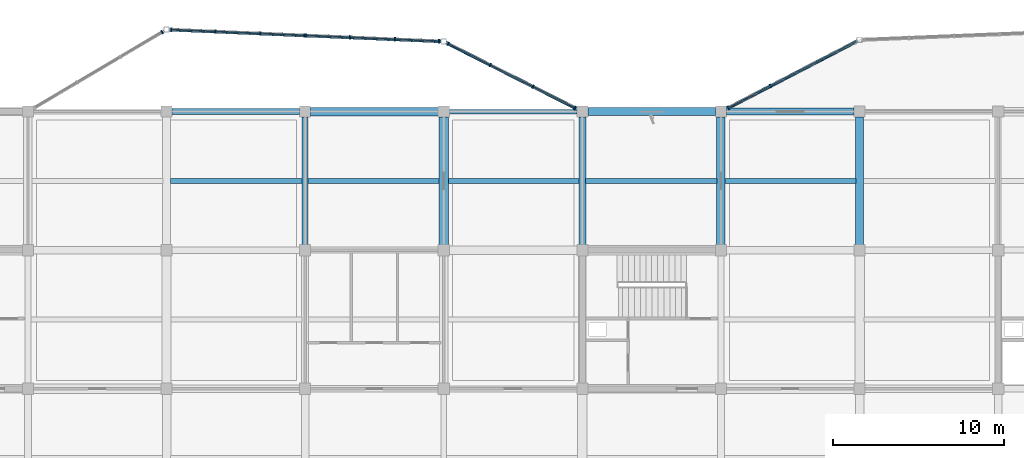
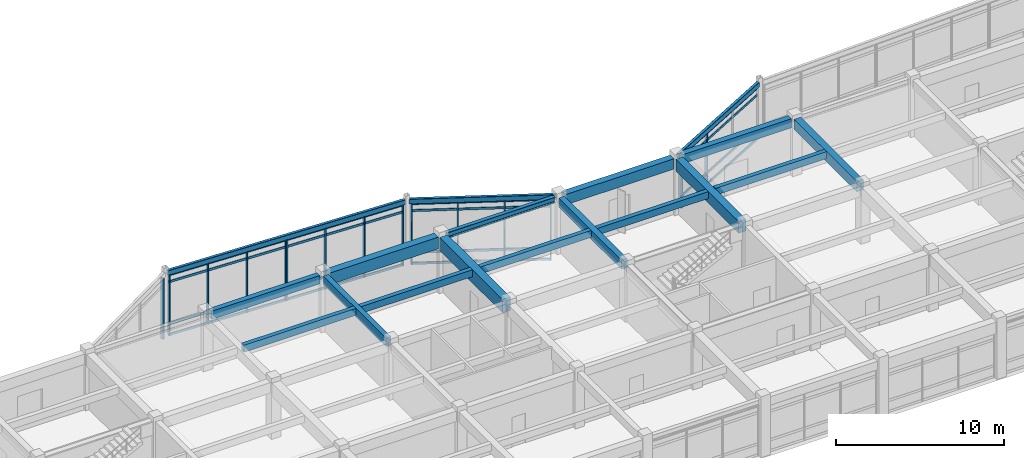
# One storey, part 45 of 89: 31 members, 18 beams, 5 elements without a shape of their own.
"""IFC4 building model written with IfcOpenShell, lengths in metres."""

from ifc_helpers import new_model, si_unit, direction, frame, origin, origin_2d, place, context, subcontext, project, spatial, rectangle, hollow_rectangle, i_section, extrude, material, layer, layer_set, material_profile, profile_set, type_object, element, aggregate, save


model = new_model("IFC4")

# Units and contexts
model_context = context("Model", 3, precision=1e-05, world=origin(), true_north=direction((0.0, 1.0)))
body_context = subcontext(model_context, "Body", "Model", "MODEL_VIEW")
ifc_project = project(units=[si_unit("LENGTHUNIT", "METRE"), si_unit("AREAUNIT", "SQUARE_METRE"), si_unit("VOLUMEUNIT", "CUBIC_METRE"), si_unit("PLANEANGLEUNIT", "RADIAN"), si_unit("MASSUNIT", "GRAM", prefix="KILO")], contexts=[model_context])

# Site, building, storey
site_placement = place(None, origin())
site = spatial("IfcSite", under=ifc_project, at=site_placement, CompositionType="ELEMENT")
building_placement = place(site_placement, origin())
building = spatial("IfcBuilding", under=site, at=building_placement, Name="Vaudrelin Polytechnic", CompositionType="ELEMENT")
storey_placement = place(building_placement, frame((0.0, 0.0, 9.68994140625)))
storey = spatial("IfcBuildingStorey", under=building, at=storey_placement, Name="L02", CompositionType="ELEMENT", Elevation=9.68994140625)

# Beams
ifc_material_1 = material(Name="Concrete 40 MPa", Category="concrete")
ifc_material_profile_1 = material_profile(ifc_material_1, rectangle(XDim=0.35009765625, YDim=0.60009765625, at=origin_2d()), Name="RC350x600")
ifc_profile_set_1 = profile_set([ifc_material_profile_1], Name="Concrete 40 MPa")
beam_type_1 = type_object("IfcBeamType", Name="BM-BM-RC3560", PredefinedType="BEAM", material=ifc_profile_set_1)
beam_1_placement = place(storey_placement, frame((40.5, 113.7099609375, 3.780029296875), z_axis=(0.0, 1.0, 0.0), x_axis=(-1.0, 0.0, 0.0)))
element("IfcBeam", 1, at=beam_1_placement, inside=storey, type_object=beam_type_1, Name="L02 Y-beam 6-15", PredefinedType="BEAM", context=body_context, shape_type="SweptSolid", body=[
    extrude(rectangle(XDim=0.35009765625, YDim=0.60009765625, at=origin_2d()), origin(), (0.0, 0.0, 1.0), 7.47998046875),
])
beam_2_placement = place(storey_placement, frame((32.720947265625, 121.5, 3.780029296875), z_axis=(1.0, 0.0, 0.0), x_axis=(0.0, 1.0, 0.0)))
element("IfcBeam", 2, at=beam_2_placement, inside=storey, type_object=beam_type_1, Name="L02 X-beam 5-16", PredefinedType="BEAM", context=body_context, shape_type="SweptSolid", body=[
    extrude(rectangle(XDim=0.35009765625, YDim=0.60009765625, at=origin_2d()), origin(), (0.0, 0.0, 1.0), 7.4580078125),
])
ifc_material_profile_2 = material_profile(ifc_material_1, rectangle(XDim=0.39990234375, YDim=0.64990234375, at=origin_2d()), Name="RC400x650")
ifc_profile_set_2 = profile_set([ifc_material_profile_2], Name="Concrete 40 MPa")
beam_type_2 = type_object("IfcBeamType", Name="BM-BM-RC4065", PredefinedType="BEAM", material=ifc_profile_set_2)
beam_3_placement = place(storey_placement, frame((56.699951171875, 113.7099609375, 3.755126953125), z_axis=(0.0, 1.0, 0.0), x_axis=(-1.0, 0.0, 0.0)))
element("IfcBeam", 3, at=beam_3_placement, inside=storey, type_object=beam_type_2, Name="L02 Y-beam 8-15", PredefinedType="BEAM", context=body_context, shape_type="SweptSolid", body=[
    extrude(rectangle(XDim=0.39990234375, YDim=0.64990234375, at=origin_2d()), origin(), (0.0, 0.0, 1.0), 7.47998046875),
])
beam_4_placement = place(storey_placement, frame((65.12109375, 121.5, 3.81494140625), z_axis=(1.0, 0.0, 0.0), x_axis=(0.0, 1.0, 0.0)))
element("IfcBeam", 4, at=beam_4_placement, inside=storey, type_object=beam_type_2, Name="L02 X-beam 9-16", PredefinedType="BEAM", context=body_context, shape_type="SweptSolid", body=[
    extrude(rectangle(XDim=0.39990234375, YDim=0.64990234375, at=origin_2d()), origin(), (0.0, 0.0, 1.0), 7.4580078125),
])
ifc_material_profile_3 = material_profile(ifc_material_1, rectangle(XDim=0.449951171875, YDim=0.75, at=origin_2d()), Name="RC450x750")
ifc_profile_set_3 = profile_set([ifc_material_profile_3], Name="Concrete 40 MPa")
beam_type_3 = type_object("IfcBeamType", Name="BM-BM-RC4575", PredefinedType="BEAM", material=ifc_profile_set_3)
beam_5_placement = place(storey_placement, frame((72.89990234375, 113.7099609375, 3.76513671875), z_axis=(0.0, 1.0, 0.0), x_axis=(-1.0, 0.0, 0.0)))
element("IfcBeam", 5, at=beam_5_placement, inside=storey, type_object=beam_type_3, Name="L02 Y-beam 10-15", PredefinedType="BEAM", context=body_context, shape_type="SweptSolid", body=[
    extrude(rectangle(XDim=0.449951171875, YDim=0.75, at=origin_2d()), origin(), (0.0, 0.0, 1.0), 7.47998046875),
])
beam_6_placement = place(storey_placement, frame((57.02099609375, 121.5, 3.705078125), z_axis=(1.0, 0.0, 0.0), x_axis=(0.0, 1.0, 0.0)))
element("IfcBeam", 6, at=beam_6_placement, inside=storey, type_object=beam_type_3, Name="L02 X-beam 8-16", PredefinedType="BEAM", context=body_context, shape_type="SweptSolid", body=[
    extrude(rectangle(XDim=0.449951171875, YDim=0.75, at=origin_2d()), origin(), (0.0, 0.0, 1.0), 7.4580078125),
])
ifc_material_profile_4 = material_profile(ifc_material_1, rectangle(XDim=0.5, YDim=0.85009765625, at=origin_2d()), Name="RC500x850")
ifc_profile_set_4 = profile_set([ifc_material_profile_4], Name="Concrete 40 MPa")
beam_type_4 = type_object("IfcBeamType", Name="BM-BM-RC5085", PredefinedType="BEAM", material=ifc_profile_set_4)
beam_7_placement = place(storey_placement, frame((64.800048828125, 113.7099609375, 3.655029296875), z_axis=(0.0, 1.0, 0.0), x_axis=(-1.0, 0.0, 0.0)))
element("IfcBeam", 7, at=beam_7_placement, inside=storey, type_object=beam_type_4, Name="L02 Y-beam 9-15", PredefinedType="BEAM", context=body_context, shape_type="SweptSolid", body=[
    extrude(rectangle(XDim=0.5, YDim=0.85009765625, at=origin_2d()), origin(), (0.0, 0.0, 1.0), 7.47998046875),
])
beam_8_placement = place(storey_placement, frame((40.821044921875, 121.5, 3.655029296875), z_axis=(1.0, 0.0, 0.0), x_axis=(0.0, 1.0, 0.0)))
element("IfcBeam", 8, at=beam_8_placement, inside=storey, type_object=beam_type_4, Name="L02 X-beam 6-16", PredefinedType="BEAM", context=body_context, shape_type="SweptSolid", body=[
    extrude(rectangle(XDim=0.5, YDim=0.85009765625, at=origin_2d()), origin(), (0.0, 0.0, 1.0), 7.4580078125),
])
ifc_material_2 = material(Name="Concrete 50 MPa", Category="concrete")
ifc_material_profile_5 = material_profile(ifc_material_2, rectangle(XDim=0.550048828125, YDim=0.949951171875, at=origin_2d()), Name="RC550x950")
ifc_profile_set_5 = profile_set([ifc_material_profile_5], Name="Concrete 50 MPa")
beam_type_5 = type_object("IfcBeamType", Name="BM-BM-RC5595", PredefinedType="BEAM", material=ifc_profile_set_5)
beam_9_placement = place(storey_placement, frame((48.60009765625, 113.7099609375, 3.60498046875), z_axis=(0.0, 1.0, 0.0), x_axis=(-1.0, 0.0, 0.0)))
element("IfcBeam", 9, at=beam_9_placement, inside=storey, type_object=beam_type_5, Name="L02 Y-beam 7-15", PredefinedType="BEAM", context=body_context, shape_type="SweptSolid", body=[
    extrude(rectangle(XDim=0.550048828125, YDim=0.949951171875, at=origin_2d()), origin(), (0.0, 0.0, 1.0), 7.47998046875),
])
ifc_material_3 = material(Name="Steel CSA G40.21 350WT", Category="steel")
ifc_material_profile_6 = material_profile(ifc_material_3, i_section(OverallWidth=0.260009765625, OverallDepth=0.4150390625, WebThickness=0.010009765625, FlangeThickness=0.016845703125, FilletRadius=0.01611328125, at=origin_2d()), Name="W410x100")
ifc_profile_set_6 = profile_set([ifc_material_profile_6], Name="Steel CSA G40.21 350WT")
beam_type_6 = type_object("IfcBeamType", Name="BM-BM-W410H", PredefinedType="SPANDREL", material=ifc_profile_set_6)
beam_10_placement = place(storey_placement, frame((48.9208984375, 121.5, 3.87255859375), z_axis=(1.0, 0.0, 0.0), x_axis=(0.0, 1.0, 0.0)))
element("IfcBeam", 10, at=beam_10_placement, inside=storey, type_object=beam_type_6, Name="L02 X-beam 7-16", PredefinedType="SPANDREL", context=body_context, shape_type="SweptSolid", body=[
    extrude(i_section(OverallWidth=0.260009765625, OverallDepth=0.4150390625, WebThickness=0.010009765625, FlangeThickness=0.016845703125, FilletRadius=0.01611328125, at=origin_2d()), origin(), (0.0, 0.0, 1.0), 7.4580078125),
])
ifc_material_profile_7 = material_profile(ifc_material_1, rectangle(XDim=0.300048828125, YDim=0.5, at=origin_2d()), Name="RC300x500")
ifc_profile_set_7 = profile_set([ifc_material_profile_7], Name="Concrete 40 MPa")
beam_type_7 = type_object("IfcBeamType", Name="BM-JS-RC3050", PredefinedType="JOIST", material=ifc_profile_set_7)
beam_11_placement = place(storey_placement, frame((32.62109375, 117.449951171875, 3.830078125), z_axis=(1.0, 0.0, 0.0), x_axis=(0.0, 1.0, 0.0)))
element("IfcBeam", 11, at=beam_11_placement, inside=storey, type_object=beam_type_7, Name="L02 floor joist 5-15", PredefinedType="JOIST", context=body_context, shape_type="SweptSolid", body=[
    extrude(rectangle(XDim=0.300048828125, YDim=0.5, at=origin_2d()), origin(), (0.0, 0.0, 1.0), 7.7080078125),
])
beam_12_placement = place(storey_placement, frame((40.6708984375, 117.449951171875, 3.830078125), z_axis=(1.0, 0.0, 0.0), x_axis=(0.0, 1.0, 0.0)))
element("IfcBeam", 12, at=beam_12_placement, inside=storey, type_object=beam_type_7, Name="L02 floor joist 6-15", PredefinedType="JOIST", context=body_context, shape_type="SweptSolid", body=[
    extrude(rectangle(XDim=0.300048828125, YDim=0.5, at=origin_2d()), origin(), (0.0, 0.0, 1.0), 7.658203125),
])
beam_13_placement = place(storey_placement, frame((48.87109375, 117.449951171875, 3.830078125), z_axis=(1.0, 0.0, 0.0), x_axis=(0.0, 1.0, 0.0)))
element("IfcBeam", 13, at=beam_13_placement, inside=storey, type_object=beam_type_7, Name="L02 floor joist 7-15", PredefinedType="JOIST", context=body_context, shape_type="SweptSolid", body=[
    extrude(rectangle(XDim=0.300048828125, YDim=0.5, at=origin_2d()), origin(), (0.0, 0.0, 1.0), 7.6328125),
])
beam_14_placement = place(storey_placement, frame((56.89599609375, 117.449951171875, 3.830078125), z_axis=(1.0, 0.0, 0.0), x_axis=(0.0, 1.0, 0.0)))
element("IfcBeam", 14, at=beam_14_placement, inside=storey, type_object=beam_type_7, Name="L02 floor joist 8-15", PredefinedType="JOIST", context=body_context, shape_type="SweptSolid", body=[
    extrude(rectangle(XDim=0.300048828125, YDim=0.5, at=origin_2d()), origin(), (0.0, 0.0, 1.0), 7.657958984375),
])
beam_15_placement = place(storey_placement, frame((65.0458984375, 117.449951171875, 3.89013671875), z_axis=(1.0, 0.0, 0.0), x_axis=(0.0, 1.0, 0.0)))
element("IfcBeam", 15, at=beam_15_placement, inside=storey, type_object=beam_type_7, Name="L02 floor joist 9-15", PredefinedType="JOIST", context=body_context, shape_type="SweptSolid", body=[
    extrude(rectangle(XDim=0.300048828125, YDim=0.5, at=origin_2d()), origin(), (0.0, 0.0, 1.0), 7.633056640625),
])
ifc_material_profile_8 = material_profile(ifc_material_3, hollow_rectangle(XDim=0.202880859375, YDim=0.35595703125, WallThickness=0.0126953125, InnerFilletRadius=0.0126953125, OuterFilletRadius=0.025390625, at=origin_2d()), Name="HSS356x203x12.7")
ifc_profile_set_8 = profile_set([ifc_material_profile_8], Name="Steel CSA G40.21 350WT")
beam_type_8 = type_object("IfcBeamType", Name="BM-SP-HSS35", PredefinedType="SPANDREL", material=ifc_profile_set_8)
beam_16_placement = place(storey_placement, frame((32.539794921875, 126.2939453125, 3.962158203125), z_axis=(0.999067570881, -0.043173936739, 0.0), x_axis=(0.043173936739, 0.999067570881, 0.0)))
element("IfcBeam", 16, at=beam_16_placement, inside=storey, type_object=beam_type_8, Name="Sculptural edge beam L02 N_OR1_B2", PredefinedType="SPANDREL", context=body_context, shape_type="SweptSolid", body=[
    extrude(hollow_rectangle(XDim=0.202880859375, YDim=0.35595703125, WallThickness=0.0126953125, InnerFilletRadius=0.0126953125, OuterFilletRadius=0.025390625, at=origin_2d()), origin(), (0.0, 0.0, 1.0), 15.935302734375),
])
beam_17_placement = place(storey_placement, frame((48.724853515625, 125.536865234375, 3.962158203125), z_axis=(0.892213204931, -0.451614433944, 0.0), x_axis=(0.451614433944, 0.892213204931, 0.0)))
element("IfcBeam", 17, at=beam_17_placement, inside=storey, type_object=beam_type_8, Name="Sculptural edge beam L02 N_OR1_B3", PredefinedType="SPANDREL", context=body_context, shape_type="SweptSolid", body=[
    extrude(hollow_rectangle(XDim=0.202880859375, YDim=0.35595703125, WallThickness=0.0126953125, InnerFilletRadius=0.0126953125, OuterFilletRadius=0.025390625, at=origin_2d()), origin(), (0.0, 0.0, 1.0), 8.798828125),
])
beam_18_placement = place(storey_placement, frame((64.92431640625, 121.564453125, 3.962158203125), z_axis=(0.887754949257, 0.460316358682, 0.0), x_axis=(-0.460316358682, 0.887754949257, 0.0)))
element("IfcBeam", 18, at=beam_18_placement, inside=storey, type_object=beam_type_8, Name="Sculptural edge beam L02 N_OR2_B1", PredefinedType="SPANDREL", context=body_context, shape_type="SweptSolid", body=[
    extrude(hollow_rectangle(XDim=0.202880859375, YDim=0.35595703125, WallThickness=0.0126953125, InnerFilletRadius=0.0126953125, OuterFilletRadius=0.025390625, at=origin_2d()), origin(), (0.0, 0.0, 1.0), 8.843994140625),
])

# Curtain wall, member
ifc_material_4 = material(Name="Thermally broken anodised aluminium AA 6063-T6 and low-e triple glazing", Category="aluminium")
ifc_layer = layer(ifc_material_4, 0.199951171875)
ifc_layer_set = layer_set([ifc_layer], Name="Thermally broken anodised aluminium AA 6063-T6 and low-e triple glazing")
curtain_wall_type = type_object("IfcCurtainWallType", Name="CW-CW-STU", PredefinedType="USERDEFINED", material=ifc_layer_set)
curtain_wall_1_placement = place(storey_placement, origin())
curtain_wall_1 = element("IfcCurtainWall", 19, at=curtain_wall_1_placement, inside=storey, type_object=curtain_wall_type, Name="Curtain wall L02 N_OR1_1_0", ObjectType="CURTAIN WALL", PredefinedType="USERDEFINED")
ifc_material_5 = material(Name="Anodised aluminium AA 6063-T6", Category="aluminium")
ifc_material_profile_9 = material_profile(ifc_material_5, rectangle(XDim=0.074951171875, YDim=0.219970703125, at=origin_2d()), Name="CWM-75x220")
ifc_profile_set_9 = profile_set([ifc_material_profile_9], Name="Anodised aluminium AA 6063-T6")
member_type_1 = type_object("IfcMemberType", Name="MEM-CWM-220", PredefinedType="MULLION", material=ifc_profile_set_9)
member_1_placement = place(storey_placement, frame((32.139892578125, 126.14599609375, -0.6298828125), z_axis=(0.0, 0.0, 1.0), x_axis=(0.860291533635, 0.509802390301, 0.0)))
member_1 = element("IfcMember", 20, at=member_1_placement, type_object=member_type_1, Name="N_OR1_1_0 mullion 4", PredefinedType="MULLION", context=body_context, shape_type="SweptSolid", body=[
    extrude(rectangle(XDim=0.074951171875, YDim=0.219970703125, at=origin_2d()), origin(), (0.0, 0.0, 1.0), 4.43994140625),
])
aggregate(curtain_wall_1, [member_1])

# Curtain wall, members
curtain_wall_2_placement = place(storey_placement, origin())
curtain_wall_2 = element("IfcCurtainWall", 21, at=curtain_wall_2_placement, inside=storey, type_object=curtain_wall_type, Name="Curtain wall L02 N_OR1_2_0", ObjectType="CURTAIN WALL", PredefinedType="USERDEFINED")
member_2_placement = place(storey_placement, frame((32.677490234375, 126.2880859375, -0.6298828125), z_axis=(0.0, 0.0, 1.0), x_axis=(0.99906798854, -0.043164270821, 0.0)))
member_2 = element("IfcMember", 22, at=member_2_placement, type_object=member_type_1, Name="N_OR1_2_0 mullion 1", PredefinedType="MULLION", context=body_context, shape_type="SweptSolid", body=[
    extrude(rectangle(XDim=0.074951171875, YDim=0.219970703125, at=origin_2d()), origin(), (0.0, 0.0, 1.0), 4.43994140625),
])
member_3_placement = place(storey_placement, frame((35.25830078125, 126.176513671875, -0.6298828125), z_axis=(0.0, 0.0, 1.0), x_axis=(0.99906798854, -0.043164270821, 0.0)))
member_3 = element("IfcMember", 23, at=member_3_placement, type_object=member_type_1, Name="N_OR1_2_0 mullion 2", PredefinedType="MULLION", context=body_context, shape_type="SweptSolid", body=[
    extrude(rectangle(XDim=0.074951171875, YDim=0.219970703125, at=origin_2d()), origin(), (0.0, 0.0, 1.0), 4.43994140625),
])
member_4_placement = place(storey_placement, frame((37.879150390625, 126.063232421875, -0.6298828125), z_axis=(0.0, 0.0, 1.0), x_axis=(0.99906798854, -0.043164270821, 0.0)))
member_4 = element("IfcMember", 24, at=member_4_placement, type_object=member_type_1, Name="N_OR1_2_0 mullion 3", PredefinedType="MULLION", context=body_context, shape_type="SweptSolid", body=[
    extrude(rectangle(XDim=0.074951171875, YDim=0.219970703125, at=origin_2d()), origin(), (0.0, 0.0, 1.0), 4.43994140625),
])
member_5_placement = place(storey_placement, frame((40.4599609375, 125.95166015625, -0.6298828125), z_axis=(0.0, 0.0, 1.0), x_axis=(0.99906798854, -0.043164270821, 0.0)))
member_5 = element("IfcMember", 25, at=member_5_placement, type_object=member_type_1, Name="N_OR1_2_0 mullion 4", PredefinedType="MULLION", context=body_context, shape_type="SweptSolid", body=[
    extrude(rectangle(XDim=0.074951171875, YDim=0.219970703125, at=origin_2d()), origin(), (0.0, 0.0, 1.0), 4.43994140625),
])

curtain_wall_3_placement = place(storey_placement, origin())
curtain_wall_3 = element("IfcCurtainWall", 26, at=curtain_wall_3_placement, inside=storey, type_object=curtain_wall_type, Name="Curtain wall L02 N_OR1_2_1", ObjectType="CURTAIN WALL", PredefinedType="USERDEFINED")
member_6_placement = place(storey_placement, frame((40.5400390625, 125.9482421875, -0.6298828125), z_axis=(0.0, 0.0, 1.0), x_axis=(0.99906798854, -0.043164270821, 0.0)))
member_6 = element("IfcMember", 27, at=member_6_placement, type_object=member_type_1, Name="N_OR1_2_1 mullion 1", PredefinedType="MULLION", context=body_context, shape_type="SweptSolid", body=[
    extrude(rectangle(XDim=0.074951171875, YDim=0.219970703125, at=origin_2d()), origin(), (0.0, 0.0, 1.0), 4.43994140625),
])
member_7_placement = place(storey_placement, frame((43.120849609375, 125.8369140625, -0.6298828125), z_axis=(0.0, 0.0, 1.0), x_axis=(0.99906798854, -0.043164270821, 0.0)))
member_7 = element("IfcMember", 28, at=member_7_placement, type_object=member_type_1, Name="N_OR1_2_1 mullion 2", PredefinedType="MULLION", context=body_context, shape_type="SweptSolid", body=[
    extrude(rectangle(XDim=0.074951171875, YDim=0.219970703125, at=origin_2d()), origin(), (0.0, 0.0, 1.0), 4.43994140625),
])
member_8_placement = place(storey_placement, frame((45.74169921875, 125.723388671875, -0.6298828125), z_axis=(0.0, 0.0, 1.0), x_axis=(0.99906798854, -0.043164270821, 0.0)))
member_8 = element("IfcMember", 29, at=member_8_placement, type_object=member_type_1, Name="N_OR1_2_1 mullion 3", PredefinedType="MULLION", context=body_context, shape_type="SweptSolid", body=[
    extrude(rectangle(XDim=0.074951171875, YDim=0.219970703125, at=origin_2d()), origin(), (0.0, 0.0, 1.0), 4.43994140625),
])
member_9_placement = place(storey_placement, frame((48.322509765625, 125.612060546875, -0.6298828125), z_axis=(0.0, 0.0, 1.0), x_axis=(0.99906798854, -0.043164270821, 0.0)))
member_9 = element("IfcMember", 30, at=member_9_placement, type_object=member_type_1, Name="N_OR1_2_1 mullion 4", PredefinedType="MULLION", context=body_context, shape_type="SweptSolid", body=[
    extrude(rectangle(XDim=0.074951171875, YDim=0.219970703125, at=origin_2d()), origin(), (0.0, 0.0, 1.0), 4.43994140625),
])

curtain_wall_4_placement = place(storey_placement, origin())
curtain_wall_4 = element("IfcCurtainWall", 31, at=curtain_wall_4_placement, inside=storey, type_object=curtain_wall_type, Name="Curtain wall L02 N_OR1_3_0", ObjectType="CURTAIN WALL", PredefinedType="USERDEFINED")
member_10_placement = place(storey_placement, frame((48.864013671875, 125.46630859375, -0.6298828125), z_axis=(0.0, 0.0, 1.0), x_axis=(0.892216550993, -0.451607823375, 0.0)))
member_10 = element("IfcMember", 32, at=member_10_placement, type_object=member_type_1, Name="N_OR1_3_0 mullion 1", PredefinedType="MULLION", context=body_context, shape_type="SweptSolid", body=[
    extrude(rectangle(XDim=0.074951171875, YDim=0.219970703125, at=origin_2d()), origin(), (0.0, 0.0, 1.0), 4.43994140625),
])
member_11_placement = place(storey_placement, frame((51.318603515625, 124.223876953125, -0.6298828125), z_axis=(0.0, 0.0, 1.0), x_axis=(0.892216550993, -0.451607823375, 0.0)))
member_11 = element("IfcMember", 33, at=member_11_placement, type_object=member_type_1, Name="N_OR1_3_0 mullion 2", PredefinedType="MULLION", context=body_context, shape_type="SweptSolid", body=[
    extrude(rectangle(XDim=0.074951171875, YDim=0.219970703125, at=origin_2d()), origin(), (0.0, 0.0, 1.0), 4.43994140625),
])
member_12_placement = place(storey_placement, frame((53.808837890625, 122.96337890625, -0.6298828125), z_axis=(0.0, 0.0, 1.0), x_axis=(0.892216550993, -0.451607823375, 0.0)))
member_12 = element("IfcMember", 34, at=member_12_placement, type_object=member_type_1, Name="N_OR1_3_0 mullion 3", PredefinedType="MULLION", context=body_context, shape_type="SweptSolid", body=[
    extrude(rectangle(XDim=0.074951171875, YDim=0.219970703125, at=origin_2d()), origin(), (0.0, 0.0, 1.0), 4.43994140625),
])
member_13_placement = place(storey_placement, frame((56.263427734375, 121.720947265625, -0.6298828125), z_axis=(0.0, 0.0, 1.0), x_axis=(0.892216550993, -0.451607823375, 0.0)))
member_13 = element("IfcMember", 35, at=member_13_placement, type_object=member_type_1, Name="N_OR1_3_0 mullion 4", PredefinedType="MULLION", context=body_context, shape_type="SweptSolid", body=[
    extrude(rectangle(XDim=0.074951171875, YDim=0.219970703125, at=origin_2d()), origin(), (0.0, 0.0, 1.0), 4.43994140625),
])

curtain_wall_5_placement = place(storey_placement, origin())
curtain_wall_5 = element("IfcCurtainWall", 36, at=curtain_wall_5_placement, inside=storey, type_object=curtain_wall_type, Name="Curtain wall L02 N_OR2_1_0", ObjectType="CURTAIN WALL", PredefinedType="USERDEFINED")
member_14_placement = place(storey_placement, frame((65.236083984375, 121.72607421875, 0.0), z_axis=(0.0, 0.0, 1.0), x_axis=(0.88775021542, 0.460325488129, 0.0)))
member_14 = element("IfcMember", 37, at=member_14_placement, type_object=member_type_1, Name="N_OR2_1_0 mullion 1", PredefinedType="MULLION", context=body_context, shape_type="SweptSolid", body=[
    extrude(rectangle(XDim=0.074951171875, YDim=0.219970703125, at=origin_2d()), origin(), (0.0, 0.0, 1.0), 3.81005859375),
])
member_15_placement = place(storey_placement, frame((67.69091796875, 122.9990234375, 0.0), z_axis=(0.0, 0.0, 1.0), x_axis=(0.88775021542, 0.460325488129, 0.0)))
member_15 = element("IfcMember", 38, at=member_15_placement, type_object=member_type_1, Name="N_OR2_1_0 mullion 2", PredefinedType="MULLION", context=body_context, shape_type="SweptSolid", body=[
    extrude(rectangle(XDim=0.074951171875, YDim=0.219970703125, at=origin_2d()), origin(), (0.0, 0.0, 1.0), 3.81005859375),
])

# Member
ifc_material_profile_10 = material_profile(ifc_material_5, rectangle(XDim=0.074951171875, YDim=0.1650390625, at=origin_2d()), Name="CWT-75x165")
ifc_profile_set_10 = profile_set([ifc_material_profile_10], Name="Anodised aluminium AA 6063-T6")
member_type_2 = type_object("IfcMemberType", Name="MEM-CWT-165", PredefinedType="USERDEFINED", material=ifc_profile_set_10)
member_16_placement = place(storey_placement, frame((32.637451171875, 126.289794921875, -0.579833984375), z_axis=(0.999067188558, -0.043182782999, 0.0), x_axis=(0.043182782999, 0.999067188558, 0.0)))
member_16 = element("IfcMember", 39, at=member_16_placement, type_object=member_type_2, Name="N_OR1_2_0 transom 1", ObjectType="TRANSOM", PredefinedType="USERDEFINED", context=body_context, shape_type="SweptSolid", body=[
    extrude(rectangle(XDim=0.074951171875, YDim=0.1650390625, at=origin_2d()), origin(), (0.0, 0.0, 1.0), 7.869873046875),
])

member_17_placement = place(storey_placement, frame((32.637451171875, 126.289794921875, 0.219970703125), z_axis=(0.999067188558, -0.043182782999, 0.0), x_axis=(0.043182782999, 0.999067188558, 0.0)))
member_17 = element("IfcMember", 40, at=member_17_placement, type_object=member_type_2, Name="N_OR1_2_0 transom 2", ObjectType="TRANSOM", PredefinedType="USERDEFINED", context=body_context, shape_type="SweptSolid", body=[
    extrude(rectangle(XDim=0.074951171875, YDim=0.1650390625, at=origin_2d()), origin(), (0.0, 0.0, 1.0), 7.869873046875),
])

member_18_placement = place(storey_placement, frame((32.637451171875, 126.289794921875, 3.260009765625), z_axis=(0.999067188558, -0.043182782999, 0.0), x_axis=(0.043182782999, 0.999067188558, 0.0)))
member_18 = element("IfcMember", 41, at=member_18_placement, type_object=member_type_2, Name="N_OR1_2_0 transom 3", ObjectType="TRANSOM", PredefinedType="USERDEFINED", context=body_context, shape_type="SweptSolid", body=[
    extrude(rectangle(XDim=0.074951171875, YDim=0.1650390625, at=origin_2d()), origin(), (0.0, 0.0, 1.0), 7.869873046875),
])

member_19_placement = place(storey_placement, frame((32.637451171875, 126.289794921875, 3.760009765625), z_axis=(0.999067188558, -0.043182782999, 0.0), x_axis=(0.043182782999, 0.999067188558, 0.0)))
member_19 = element("IfcMember", 42, at=member_19_placement, type_object=member_type_2, Name="N_OR1_2_0 transom 4", ObjectType="TRANSOM", PredefinedType="USERDEFINED", context=body_context, shape_type="SweptSolid", body=[
    extrude(rectangle(XDim=0.074951171875, YDim=0.1650390625, at=origin_2d()), origin(), (0.0, 0.0, 1.0), 7.869873046875),
])

aggregate(curtain_wall_2, [member_2, member_3, member_4, member_5, member_16, member_17, member_18, member_19])

member_20_placement = place(storey_placement, frame((40.5, 125.949951171875, -0.579833984375), z_axis=(0.999068526451, -0.043151818671, 0.0), x_axis=(0.043151818671, 0.999068526451, 0.0)))
member_20 = element("IfcMember", 43, at=member_20_placement, type_object=member_type_2, Name="N_OR1_2_1 transom 1", ObjectType="TRANSOM", PredefinedType="USERDEFINED", context=body_context, shape_type="SweptSolid", body=[
    extrude(rectangle(XDim=0.074951171875, YDim=0.1650390625, at=origin_2d()), origin(), (0.0, 0.0, 1.0), 7.869873046875),
])

member_21_placement = place(storey_placement, frame((40.5, 125.949951171875, 0.219970703125), z_axis=(0.999068526451, -0.043151818671, 0.0), x_axis=(0.043151818671, 0.999068526451, 0.0)))
member_21 = element("IfcMember", 44, at=member_21_placement, type_object=member_type_2, Name="N_OR1_2_1 transom 2", ObjectType="TRANSOM", PredefinedType="USERDEFINED", context=body_context, shape_type="SweptSolid", body=[
    extrude(rectangle(XDim=0.074951171875, YDim=0.1650390625, at=origin_2d()), origin(), (0.0, 0.0, 1.0), 7.869873046875),
])

member_22_placement = place(storey_placement, frame((40.5, 125.949951171875, 3.260009765625), z_axis=(0.999068526451, -0.043151818671, 0.0), x_axis=(0.043151818671, 0.999068526451, 0.0)))
member_22 = element("IfcMember", 45, at=member_22_placement, type_object=member_type_2, Name="N_OR1_2_1 transom 3", ObjectType="TRANSOM", PredefinedType="USERDEFINED", context=body_context, shape_type="SweptSolid", body=[
    extrude(rectangle(XDim=0.074951171875, YDim=0.1650390625, at=origin_2d()), origin(), (0.0, 0.0, 1.0), 7.869873046875),
])

member_23_placement = place(storey_placement, frame((40.5, 125.949951171875, 3.760009765625), z_axis=(0.999068526451, -0.043151818671, 0.0), x_axis=(0.043151818671, 0.999068526451, 0.0)))
member_23 = element("IfcMember", 46, at=member_23_placement, type_object=member_type_2, Name="N_OR1_2_1 transom 4", ObjectType="TRANSOM", PredefinedType="USERDEFINED", context=body_context, shape_type="SweptSolid", body=[
    extrude(rectangle(XDim=0.074951171875, YDim=0.1650390625, at=origin_2d()), origin(), (0.0, 0.0, 1.0), 7.869873046875),
])

aggregate(curtain_wall_3, [member_6, member_7, member_8, member_9, member_20, member_21, member_22, member_23])

member_24_placement = place(storey_placement, frame((48.828369140625, 125.484375, -0.579833984375), z_axis=(0.892217984181, -0.451604991895, 0.0), x_axis=(0.451604991895, 0.892217984181, 0.0)))
member_24 = element("IfcMember", 47, at=member_24_placement, type_object=member_type_2, Name="N_OR1_3_0 transom 1", ObjectType="TRANSOM", PredefinedType="USERDEFINED", context=body_context, shape_type="SweptSolid", body=[
    extrude(rectangle(XDim=0.074951171875, YDim=0.1650390625, at=origin_2d()), origin(), (0.0, 0.0, 1.0), 8.37353515625),
])

member_25_placement = place(storey_placement, frame((48.828369140625, 125.484375, 0.219970703125), z_axis=(0.892217984181, -0.451604991895, 0.0), x_axis=(0.451604991895, 0.892217984181, 0.0)))
member_25 = element("IfcMember", 48, at=member_25_placement, type_object=member_type_2, Name="N_OR1_3_0 transom 2", ObjectType="TRANSOM", PredefinedType="USERDEFINED", context=body_context, shape_type="SweptSolid", body=[
    extrude(rectangle(XDim=0.074951171875, YDim=0.1650390625, at=origin_2d()), origin(), (0.0, 0.0, 1.0), 8.37353515625),
])

member_26_placement = place(storey_placement, frame((48.828369140625, 125.484375, 3.260009765625), z_axis=(0.892217984181, -0.451604991895, 0.0), x_axis=(0.451604991895, 0.892217984181, 0.0)))
member_26 = element("IfcMember", 49, at=member_26_placement, type_object=member_type_2, Name="N_OR1_3_0 transom 3", ObjectType="TRANSOM", PredefinedType="USERDEFINED", context=body_context, shape_type="SweptSolid", body=[
    extrude(rectangle(XDim=0.074951171875, YDim=0.1650390625, at=origin_2d()), origin(), (0.0, 0.0, 1.0), 8.37353515625),
])

member_27_placement = place(storey_placement, frame((48.828369140625, 125.484375, 3.760009765625), z_axis=(0.892217984181, -0.451604991895, 0.0), x_axis=(0.451604991895, 0.892217984181, 0.0)))
member_27 = element("IfcMember", 50, at=member_27_placement, type_object=member_type_2, Name="N_OR1_3_0 transom 4", ObjectType="TRANSOM", PredefinedType="USERDEFINED", context=body_context, shape_type="SweptSolid", body=[
    extrude(rectangle(XDim=0.074951171875, YDim=0.1650390625, at=origin_2d()), origin(), (0.0, 0.0, 1.0), 8.37353515625),
])

aggregate(curtain_wall_4, [member_10, member_11, member_12, member_13, member_24, member_25, member_26, member_27])

member_28_placement = place(storey_placement, frame((65.200439453125, 121.70751953125, 0.050048828125), z_axis=(0.887751458182, 0.460323091422, 0.0), x_axis=(-0.460323091422, 0.887751458182, 0.0)))
member_28 = element("IfcMember", 51, at=member_28_placement, type_object=member_type_2, Name="N_OR2_1_0 transom 1", ObjectType="TRANSOM", PredefinedType="USERDEFINED", context=body_context, shape_type="SweptSolid", body=[
    extrude(rectangle(XDim=0.074951171875, YDim=0.1650390625, at=origin_2d()), origin(), (0.0, 0.0, 1.0), 8.41650390625),
])

member_29_placement = place(storey_placement, frame((65.200439453125, 121.70751953125, 0.85009765625), z_axis=(0.887751458182, 0.460323091422, 0.0), x_axis=(-0.460323091422, 0.887751458182, 0.0)))
member_29 = element("IfcMember", 52, at=member_29_placement, type_object=member_type_2, Name="N_OR2_1_0 transom 2", ObjectType="TRANSOM", PredefinedType="USERDEFINED", context=body_context, shape_type="SweptSolid", body=[
    extrude(rectangle(XDim=0.074951171875, YDim=0.1650390625, at=origin_2d()), origin(), (0.0, 0.0, 1.0), 8.41650390625),
])

member_30_placement = place(storey_placement, frame((65.200439453125, 121.70751953125, 3.260009765625), z_axis=(0.887751458182, 0.460323091422, 0.0), x_axis=(-0.460323091422, 0.887751458182, 0.0)))
member_30 = element("IfcMember", 53, at=member_30_placement, type_object=member_type_2, Name="N_OR2_1_0 transom 3", ObjectType="TRANSOM", PredefinedType="USERDEFINED", context=body_context, shape_type="SweptSolid", body=[
    extrude(rectangle(XDim=0.074951171875, YDim=0.1650390625, at=origin_2d()), origin(), (0.0, 0.0, 1.0), 8.41650390625),
])

member_31_placement = place(storey_placement, frame((65.200439453125, 121.70751953125, 3.760009765625), z_axis=(0.887751458182, 0.460323091422, 0.0), x_axis=(-0.460323091422, 0.887751458182, 0.0)))
member_31 = element("IfcMember", 54, at=member_31_placement, type_object=member_type_2, Name="N_OR2_1_0 transom 4", ObjectType="TRANSOM", PredefinedType="USERDEFINED", context=body_context, shape_type="SweptSolid", body=[
    extrude(rectangle(XDim=0.074951171875, YDim=0.1650390625, at=origin_2d()), origin(), (0.0, 0.0, 1.0), 8.41650390625),
])

aggregate(curtain_wall_5, [member_14, member_15, member_28, member_29, member_30, member_31])

save(model, "model.ifc")
